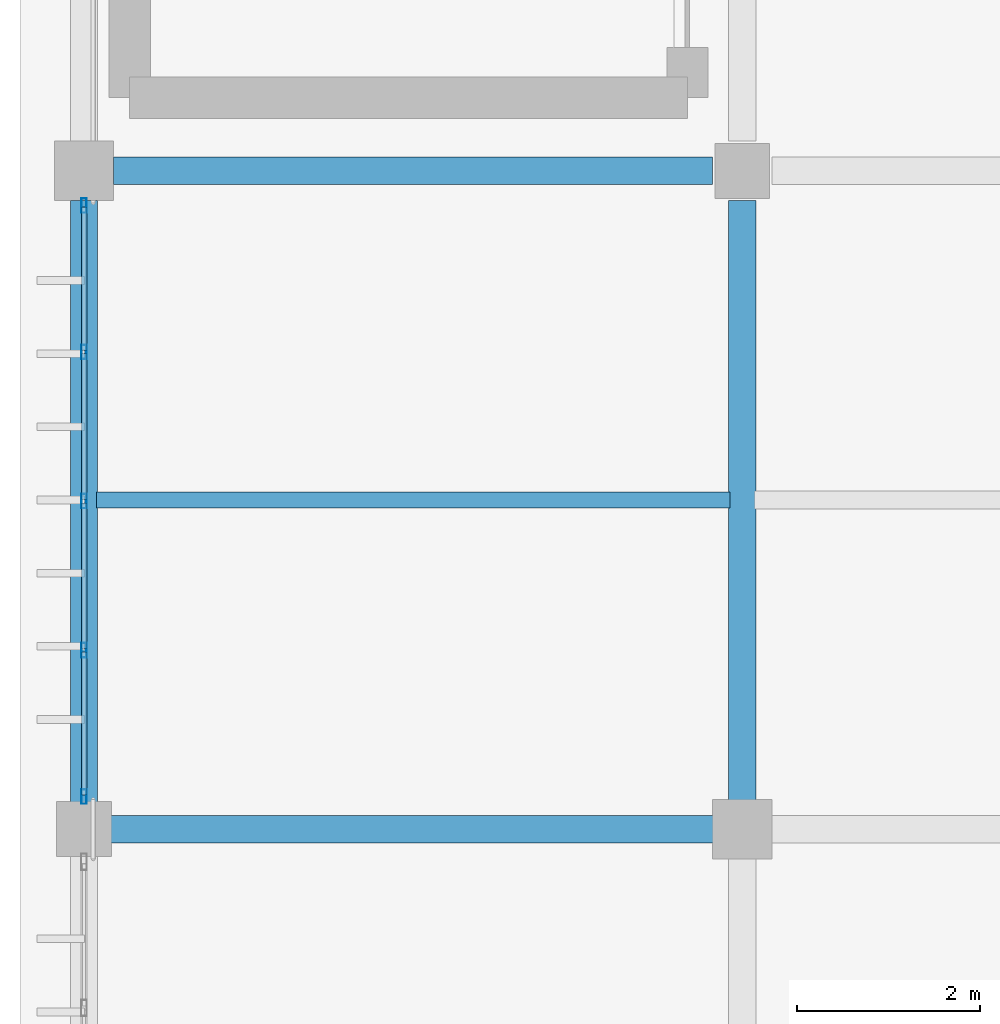
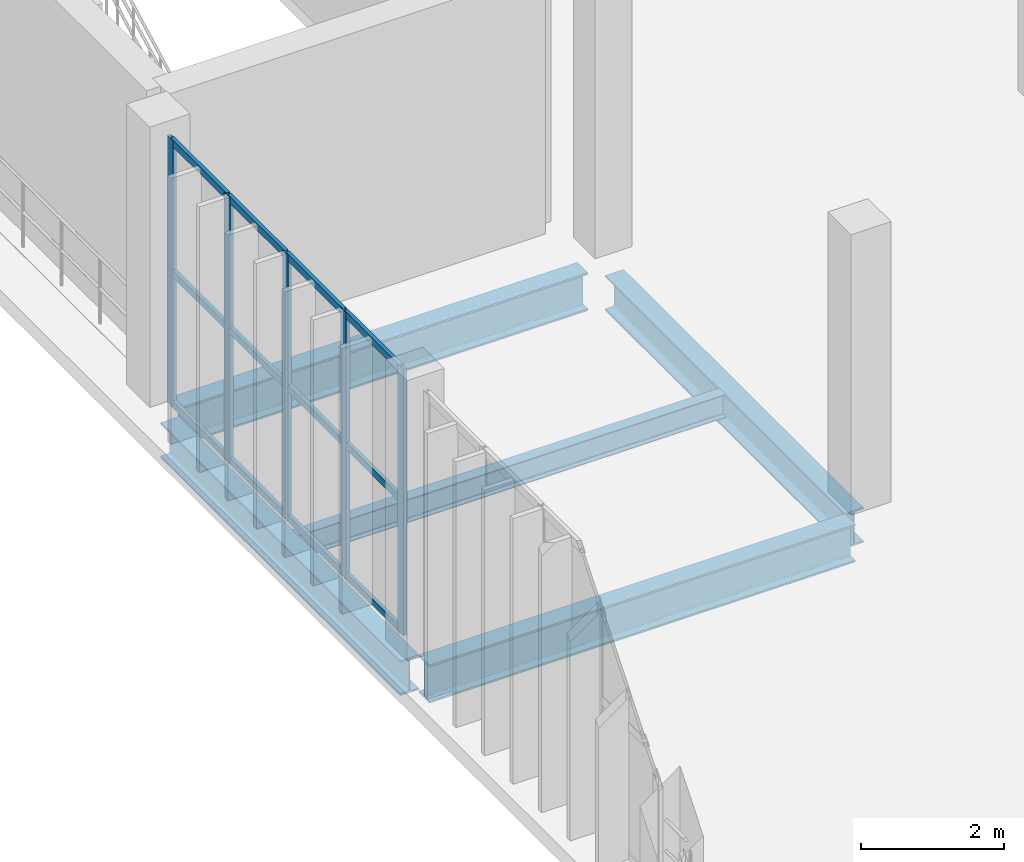
# One storey, part 37 of 105: 17 members, 5 beams, 1 element without a shape of its own.
"""IFC4 building model written with IfcOpenShell, lengths in metres."""

import ifcopenshell
import ifcopenshell.guid

model = None  # the IFC model being written
_history = None  # IfcOwnerHistory: only IFC2X3 demands one
_inside = {}  # id of a spatial element -> (the spatial element, [elements in it])
_under = {}  # id of a project, library or spatial element -> (it, [spatial elements below it])
_declared = {}  # id of a project -> (the project, [libraries it declares])
_typed = {}  # id of a type object -> (the type object, [elements of that type])
_made_of = {}  # id of a material, layer set ... -> (it, [elements and type objects made of it])


def new_model(schema):
    """Start an empty IFC model of exactly this schema.

    Asked for "IFC4X3", IfcOpenShell would pick the latest addendum, in which some entities
    have other attributes; the version numbers below select the first issue.
    IFC2X3 requires an IfcOwnerHistory on every rooted entity: one is made here for all.
    """
    global model, _history
    if schema == "IFC4X3":
        model = ifcopenshell.file(schema_version=(4, 3, 0, 0))
    else:
        model = ifcopenshell.file(schema=schema)
    _inside.clear()
    _under.clear()
    _declared.clear()
    _typed.clear()
    _made_of.clear()
    _history = None
    if model.schema == "IFC2X3":
        org = make("IfcOrganization", Name="unknown")
        user = make(
            "IfcPersonAndOrganization",
            ThePerson=make("IfcPerson", FamilyName="unknown"),
            TheOrganization=org,
        )
        app = make(
            "IfcApplication",
            ApplicationDeveloper=org,
            Version="unknown",
            ApplicationFullName="unknown",
            ApplicationIdentifier="unknown",
        )
        _history = make(
            "IfcOwnerHistory",
            OwningUser=user,
            OwningApplication=app,
            ChangeAction="ADDED",
            CreationDate=0,
        )
    return model


def make(cls, **values):
    """One entity of the class cls with the attributes given. An attribute that is None is left unset."""
    return model.create_entity(
        cls, **{name: value for name, value in values.items() if value is not None}
    )


def rooted(cls, **values):
    """An entity with a GlobalId (a new one), such as an element, a storey or a relation."""
    return make(cls, GlobalId=ifcopenshell.guid.new(), OwnerHistory=_history, **values)


def si_unit(unit_type, name, prefix=None):
    """IfcSIUnit, for example si_unit("LENGTHUNIT", "METRE", prefix="MILLI")."""
    return make("IfcSIUnit", UnitType=unit_type, Prefix=prefix, Name=name)


def assignment(units):
    """IfcUnitAssignment: the units of a project."""
    return None if units is None else make("IfcUnitAssignment", Units=units)


def point(xyz):
    """IfcCartesianPoint."""
    return None if xyz is None else make("IfcCartesianPoint", Coordinates=xyz)


def direction(xyz):
    """IfcDirection."""
    return None if xyz is None else make("IfcDirection", DirectionRatios=xyz)


def frame(location, z_axis=None, x_axis=None):
    """IfcAxis2Placement3D, a coordinate frame: its origin and axes. An axis left out is left unset."""
    return make(
        "IfcAxis2Placement3D",
        Location=point(location),
        Axis=direction(z_axis),
        RefDirection=direction(x_axis),
    )


def frame_2d(location, x_axis=None):
    """IfcAxis2Placement2D, a coordinate frame in the plane: its origin and x axis."""
    return make(
        "IfcAxis2Placement2D", Location=point(location), RefDirection=direction(x_axis)
    )


def origin():
    """The frame at (0, 0, 0) with its axes left unset."""
    return frame((0.0, 0.0, 0.0))


def origin_2d():
    """The frame at (0, 0) in the plane with its x axis left unset."""
    return frame_2d((0.0, 0.0))


def place(relative_to, where):
    """IfcLocalPlacement: puts the frame where relative to a parent placement (None: the world)."""
    return make(
        "IfcLocalPlacement", PlacementRelTo=relative_to, RelativePlacement=where
    )


def context(
    kind, dimensions, precision=None, world=None, true_north=None, identifier=None
):
    """IfcGeometricRepresentationContext, for example the 3D "Model" context."""
    return make(
        "IfcGeometricRepresentationContext",
        ContextIdentifier=identifier,
        ContextType=kind,
        CoordinateSpaceDimension=dimensions,
        Precision=precision,
        WorldCoordinateSystem=world,
        TrueNorth=true_north,
    )


def subcontext(parent, identifier, kind, view, scale=None):
    """IfcGeometricRepresentationSubContext, for example "Body" below "Model"."""
    return make(
        "IfcGeometricRepresentationSubContext",
        ContextIdentifier=identifier,
        ContextType=kind,
        ParentContext=parent,
        TargetScale=scale,
        TargetView=view,
    )


def project(units=None, contexts=None):
    """IfcProject with its units and contexts."""
    return rooted(
        "IfcProject",
        Name="project",
        RepresentationContexts=contexts,
        UnitsInContext=assignment(units),
    )


def spatial(cls, under=None, at=None, **own):
    """A site, building, storey or space (cls), placed at a placement, below another one or the project."""
    s = rooted(cls, ObjectPlacement=at, **own)
    if under is not None:
        _under.setdefault(under.id(), (under, []))[1].append(s)
    return s


def profile(cls, at=None, kind="AREA", **sizes):
    """A parametric profile (cls). Its sizes go by their IFC names, for example OverallWidth=200.0."""
    return make(cls, ProfileType=kind, Position=at, **sizes)


def hollow_rectangle(**sizes):
    """IfcRectangleHollowProfileDef."""
    return profile("IfcRectangleHollowProfileDef", **sizes)


def i_section(**sizes):
    """IfcIShapeProfileDef."""
    return profile("IfcIShapeProfileDef", **sizes)


def extrude(swept, where, along, depth):
    """IfcExtrudedAreaSolid: the profile swept, set in the frame where, extruded along a direction by depth."""
    return make(
        "IfcExtrudedAreaSolid",
        SweptArea=swept,
        Position=where,
        ExtrudedDirection=direction(along),
        Depth=depth,
    )


def shape(context_of_items, identifier, shape_type, items):
    """IfcShapeRepresentation: the items that make up one representation, for example the "Body"."""
    return make(
        "IfcShapeRepresentation",
        ContextOfItems=context_of_items,
        RepresentationIdentifier=identifier,
        RepresentationType=shape_type,
        Items=items,
    )


def material(Name=None, Category=None):
    """IfcMaterial."""
    return make("IfcMaterial", Name=Name, Category=Category)


def material_profile(
    of_material, cross_section, Name=None, Category=None, Priority=None
):
    """IfcMaterialProfile: a cross section and its material."""
    return make(
        "IfcMaterialProfile",
        Name=Name,
        Material=of_material,
        Profile=cross_section,
        Priority=Priority,
        Category=Category,
    )


def profile_set(profiles, Name=None, composite=None):
    """IfcMaterialProfileSet."""
    return make(
        "IfcMaterialProfileSet",
        Name=Name,
        MaterialProfiles=profiles,
        CompositeProfile=composite,
    )


def made_of(thing, what):
    """Note that an element or type object is made of a material, layer set ...; save() writes the relation."""
    if what is not None:
        _made_of.setdefault(what.id(), (what, []))[1].append(thing)
    return thing


def type_object(cls, material=None, **own):
    """A type object (cls), such as IfcWallType, which elements share."""
    return made_of(rooted(cls, **own), material)


def element(
    cls,
    number,
    at=None,
    inside=None,
    cuts=None,
    type_object=None,
    material=None,
    context=None,
    identifier="Body",
    shape_type=None,
    held_by="IfcProductDefinitionShape",
    body=None,
    shapes=None,
    **own,
):
    """One element of the class cls, such as IfcWall. Its Tag is "e" and its number.

    at: its placement. inside: the storey or other place that contains it. cuts: it is an
    opening in that element (IfcRelVoidsElement). A single representation is given by context,
    identifier, shape_type and body (its items); several are given by shapes. held_by: the class
    of the entity that holds the representations. save() writes the other relations.
    """
    e = rooted(cls, Tag="e%d" % number, ObjectPlacement=at, **own)
    if body is not None:
        shapes = [shape(context, identifier, shape_type, body)]
    if shapes is not None:
        e.Representation = make(held_by, Representations=shapes)
    if inside is not None:
        _inside.setdefault(inside.id(), (inside, []))[1].append(e)
    if cuts is not None:
        rooted(
            "IfcRelVoidsElement", RelatingBuildingElement=cuts, RelatedOpeningElement=e
        )
    if type_object is not None:
        _typed.setdefault(type_object.id(), (type_object, []))[1].append(e)
    return made_of(e, material)


def aggregate(whole, parts):
    """IfcRelAggregates: a whole, such as a stair, and the parts it consists of."""
    return rooted("IfcRelAggregates", RelatingObject=whole, RelatedObjects=parts)


def save(model, path):
    """Write the relations noted so far, then the file.

    IfcRelAggregates (storeys below a building ...), IfcRelContainedInSpatialStructure (elements
    in a storey), IfcRelDefinesByType, IfcRelAssociatesMaterial and IfcRelDeclares: one each for
    every whole, place, type object, material and project.
    """
    for whole, parts in _under.values():
        aggregate(whole, parts)
    for where, things in _inside.values():
        rooted(
            "IfcRelContainedInSpatialStructure",
            RelatedElements=things,
            RelatingStructure=where,
        )
    for kind, things in _typed.values():
        rooted("IfcRelDefinesByType", RelatedObjects=things, RelatingType=kind)
    for what, things in _made_of.values():
        rooted("IfcRelAssociatesMaterial", RelatedObjects=things, RelatingMaterial=what)
    for by, libraries in _declared.values():
        rooted("IfcRelDeclares", RelatingContext=by, RelatedDefinitions=libraries)
    model.write(path)


model = new_model("IFC4")

# Units and contexts
model_context = context("Model", 3, precision=1e-05, world=origin(), true_north=direction((0.0, 1.0)))
body_context = subcontext(model_context, "Body", "Model", "MODEL_VIEW")
ifc_project = project(units=[si_unit("LENGTHUNIT", "METRE"), si_unit("AREAUNIT", "SQUARE_METRE"), si_unit("VOLUMEUNIT", "CUBIC_METRE"), si_unit("PLANEANGLEUNIT", "RADIAN"), si_unit("MASSUNIT", "GRAM", prefix="KILO")], contexts=[model_context])

# Site, building, storey
site_placement = place(None, origin())
site = spatial("IfcSite", under=ifc_project, at=site_placement, CompositionType="ELEMENT")
building_placement = place(site_placement, origin())
building = spatial("IfcBuilding", under=site, at=building_placement, Name="Qandorah Velis Arena", CompositionType="ELEMENT")
storey_placement = place(building_placement, frame((0.0, 0.0, 13.800048828125)))
storey = spatial("IfcBuildingStorey", under=building, at=storey_placement, Name="L03", CompositionType="ELEMENT", Elevation=13.800048828125)

# Curtain wall, members
ifc_material_1 = material(Name="Solar-control low-E double glazing", Category="glass")
curtain_wall_type = type_object("IfcCurtainWallType", Name="ARC-CW-SYS03", PredefinedType="USERDEFINED", material=ifc_material_1)
curtain_wall_placement = place(storey_placement, origin())
curtain_wall = element("IfcCurtainWall", 1, at=curtain_wall_placement, inside=storey, type_object=curtain_wall_type, Name="Unitised curtain wall L03-027", ObjectType="UNITISED CURTAIN WALL", PredefinedType="USERDEFINED")
ifc_material_2 = material(Name="Champagne-bronze anodized aluminium 6063-T6", Category="aluminium")
ifc_material_profile_1 = material_profile(ifc_material_2, hollow_rectangle(XDim=0.06005859375, YDim=0.159912109375, WallThickness=0.00341796875, at=origin_2d()), Name="ALU MULLION 60x160")
ifc_profile_set_1 = profile_set([ifc_material_profile_1], Name="Champagne-bronze anodized aluminium 6063-T6")
member_type_1 = type_object("IfcMemberType", Name="ARC-CWM-160", PredefinedType="MULLION", material=ifc_profile_set_1)
member_1_placement = place(storey_placement, frame((0.0, 72.35498046875, -0.01513671875), z_axis=(0.0, 0.0, 1.0), x_axis=(-1.0, 0.0, 0.0)))
member_1 = element("IfcMember", 2, at=member_1_placement, type_object=member_type_1, Name="CW03 mullion 1", PredefinedType="MULLION", context=body_context, shape_type="SweptSolid", body=[
    extrude(hollow_rectangle(XDim=0.06005859375, YDim=0.159912109375, WallThickness=0.00341796875, at=origin_2d()), origin(), (0.0, 0.0, 1.0), 4.56005859375),
])
member_2_placement = place(storey_placement, frame((0.0, 73.956298828125, -0.01513671875), z_axis=(0.0, 0.0, 1.0), x_axis=(-1.0, 0.0, 0.0)))
member_2 = element("IfcMember", 3, at=member_2_placement, type_object=member_type_1, Name="CW03 mullion 2", PredefinedType="MULLION", context=body_context, shape_type="SweptSolid", body=[
    extrude(hollow_rectangle(XDim=0.06005859375, YDim=0.159912109375, WallThickness=0.00341796875, at=origin_2d()), origin(), (0.0, 0.0, 1.0), 4.56005859375),
])
member_3_placement = place(storey_placement, frame((0.0, 75.58740234375, -0.01513671875), z_axis=(0.0, 0.0, 1.0), x_axis=(-1.0, 0.0, 0.0)))
member_3 = element("IfcMember", 4, at=member_3_placement, type_object=member_type_1, Name="CW03 mullion 3", PredefinedType="MULLION", context=body_context, shape_type="SweptSolid", body=[
    extrude(hollow_rectangle(XDim=0.06005859375, YDim=0.159912109375, WallThickness=0.00341796875, at=origin_2d()), origin(), (0.0, 0.0, 1.0), 4.56005859375),
])
member_4_placement = place(storey_placement, frame((0.0, 77.21875, -0.01513671875), z_axis=(0.0, 0.0, 1.0), x_axis=(-1.0, 0.0, 0.0)))
member_4 = element("IfcMember", 5, at=member_4_placement, type_object=member_type_1, Name="CW03 mullion 4", PredefinedType="MULLION", context=body_context, shape_type="SweptSolid", body=[
    extrude(hollow_rectangle(XDim=0.06005859375, YDim=0.159912109375, WallThickness=0.00341796875, at=origin_2d()), origin(), (0.0, 0.0, 1.0), 4.56005859375),
])
member_5_placement = place(storey_placement, frame((0.0, 78.820068359375, -0.01513671875), z_axis=(0.0, 0.0, 1.0), x_axis=(-1.0, 0.0, 0.0)))
member_5 = element("IfcMember", 6, at=member_5_placement, type_object=member_type_1, Name="CW03 mullion 5", PredefinedType="MULLION", context=body_context, shape_type="SweptSolid", body=[
    extrude(hollow_rectangle(XDim=0.06005859375, YDim=0.159912109375, WallThickness=0.00341796875, at=origin_2d()), origin(), (0.0, 0.0, 1.0), 4.56005859375),
])
ifc_material_profile_2 = material_profile(ifc_material_2, hollow_rectangle(XDim=0.06005859375, YDim=0.1201171875, WallThickness=0.0029296875, at=origin_2d()), Name="ALU TRANSOM 60x120")
ifc_profile_set_2 = profile_set([ifc_material_profile_2], Name="Champagne-bronze anodized aluminium 6063-T6")
member_type_2 = type_object("IfcMemberType", Name="ARC-CWT-120", PredefinedType="USERDEFINED", material=ifc_profile_set_2)
member_6_placement = place(storey_placement, frame((0.0, 72.373046875, 0.030029296875), z_axis=(0.0, 1.0, 0.0), x_axis=(-1.0, 0.0, 0.0)))
member_6 = element("IfcMember", 7, at=member_6_placement, type_object=member_type_2, Name="CW03 transom 1.1", ObjectType="TRANSOM", PredefinedType="USERDEFINED", context=body_context, shape_type="SweptSolid", body=[
    extrude(hollow_rectangle(XDim=0.06005859375, YDim=0.1201171875, WallThickness=0.0029296875, at=origin_2d()), origin(), (0.0, 0.0, 1.0), 1.565185546875),
])
member_7_placement = place(storey_placement, frame((0.0, 72.373046875, 2.264892578125), z_axis=(0.0, 1.0, 0.0), x_axis=(-1.0, 0.0, 0.0)))
member_7 = element("IfcMember", 8, at=member_7_placement, type_object=member_type_2, Name="CW03 transom 1.2", ObjectType="TRANSOM", PredefinedType="USERDEFINED", context=body_context, shape_type="SweptSolid", body=[
    extrude(hollow_rectangle(XDim=0.06005859375, YDim=0.1201171875, WallThickness=0.0029296875, at=origin_2d()), origin(), (0.0, 0.0, 1.0), 1.565185546875),
])
member_8_placement = place(storey_placement, frame((0.0, 72.373046875, 4.5), z_axis=(0.0, 1.0, 0.0), x_axis=(-1.0, 0.0, 0.0)))
member_8 = element("IfcMember", 9, at=member_8_placement, type_object=member_type_2, Name="CW03 transom 1.3", ObjectType="TRANSOM", PredefinedType="USERDEFINED", context=body_context, shape_type="SweptSolid", body=[
    extrude(hollow_rectangle(XDim=0.06005859375, YDim=0.1201171875, WallThickness=0.0029296875, at=origin_2d()), origin(), (0.0, 0.0, 1.0), 1.565185546875),
])
member_9_placement = place(storey_placement, frame((0.0, 73.97412109375, 0.030029296875), z_axis=(0.0, 1.0, 0.0), x_axis=(-1.0, 0.0, 0.0)))
member_9 = element("IfcMember", 10, at=member_9_placement, type_object=member_type_2, Name="CW03 transom 2.1", ObjectType="TRANSOM", PredefinedType="USERDEFINED", context=body_context, shape_type="SweptSolid", body=[
    extrude(hollow_rectangle(XDim=0.06005859375, YDim=0.1201171875, WallThickness=0.0029296875, at=origin_2d()), origin(), (0.0, 0.0, 1.0), 1.595458984375),
])
member_10_placement = place(storey_placement, frame((0.0, 73.97412109375, 2.264892578125), z_axis=(0.0, 1.0, 0.0), x_axis=(-1.0, 0.0, 0.0)))
member_10 = element("IfcMember", 11, at=member_10_placement, type_object=member_type_2, Name="CW03 transom 2.2", ObjectType="TRANSOM", PredefinedType="USERDEFINED", context=body_context, shape_type="SweptSolid", body=[
    extrude(hollow_rectangle(XDim=0.06005859375, YDim=0.1201171875, WallThickness=0.0029296875, at=origin_2d()), origin(), (0.0, 0.0, 1.0), 1.595458984375),
])
member_11_placement = place(storey_placement, frame((0.0, 73.97412109375, 4.5), z_axis=(0.0, 1.0, 0.0), x_axis=(-1.0, 0.0, 0.0)))
member_11 = element("IfcMember", 12, at=member_11_placement, type_object=member_type_2, Name="CW03 transom 2.3", ObjectType="TRANSOM", PredefinedType="USERDEFINED", context=body_context, shape_type="SweptSolid", body=[
    extrude(hollow_rectangle(XDim=0.06005859375, YDim=0.1201171875, WallThickness=0.0029296875, at=origin_2d()), origin(), (0.0, 0.0, 1.0), 1.595458984375),
])
member_12_placement = place(storey_placement, frame((0.0, 75.60546875, 0.030029296875), z_axis=(0.0, 1.0, 0.0), x_axis=(-1.0, 0.0, 0.0)))
member_12 = element("IfcMember", 13, at=member_12_placement, type_object=member_type_2, Name="CW03 transom 3.1", ObjectType="TRANSOM", PredefinedType="USERDEFINED", context=body_context, shape_type="SweptSolid", body=[
    extrude(hollow_rectangle(XDim=0.06005859375, YDim=0.1201171875, WallThickness=0.0029296875, at=origin_2d()), origin(), (0.0, 0.0, 1.0), 1.59521484375),
])
member_13_placement = place(storey_placement, frame((0.0, 75.60546875, 2.264892578125), z_axis=(0.0, 1.0, 0.0), x_axis=(-1.0, 0.0, 0.0)))
member_13 = element("IfcMember", 14, at=member_13_placement, type_object=member_type_2, Name="CW03 transom 3.2", ObjectType="TRANSOM", PredefinedType="USERDEFINED", context=body_context, shape_type="SweptSolid", body=[
    extrude(hollow_rectangle(XDim=0.06005859375, YDim=0.1201171875, WallThickness=0.0029296875, at=origin_2d()), origin(), (0.0, 0.0, 1.0), 1.59521484375),
])
member_14_placement = place(storey_placement, frame((0.0, 75.60546875, 4.5), z_axis=(0.0, 1.0, 0.0), x_axis=(-1.0, 0.0, 0.0)))
member_14 = element("IfcMember", 15, at=member_14_placement, type_object=member_type_2, Name="CW03 transom 3.3", ObjectType="TRANSOM", PredefinedType="USERDEFINED", context=body_context, shape_type="SweptSolid", body=[
    extrude(hollow_rectangle(XDim=0.06005859375, YDim=0.1201171875, WallThickness=0.0029296875, at=origin_2d()), origin(), (0.0, 0.0, 1.0), 1.59521484375),
])
member_15_placement = place(storey_placement, frame((0.0, 77.23681640625, 0.030029296875), z_axis=(0.0, 1.0, 0.0), x_axis=(-1.0, 0.0, 0.0)))
member_15 = element("IfcMember", 16, at=member_15_placement, type_object=member_type_2, Name="CW03 transom 4.1", ObjectType="TRANSOM", PredefinedType="USERDEFINED", context=body_context, shape_type="SweptSolid", body=[
    extrude(hollow_rectangle(XDim=0.06005859375, YDim=0.1201171875, WallThickness=0.0029296875, at=origin_2d()), origin(), (0.0, 0.0, 1.0), 1.565185546875),
])
member_16_placement = place(storey_placement, frame((0.0, 77.23681640625, 2.264892578125), z_axis=(0.0, 1.0, 0.0), x_axis=(-1.0, 0.0, 0.0)))
member_16 = element("IfcMember", 17, at=member_16_placement, type_object=member_type_2, Name="CW03 transom 4.2", ObjectType="TRANSOM", PredefinedType="USERDEFINED", context=body_context, shape_type="SweptSolid", body=[
    extrude(hollow_rectangle(XDim=0.06005859375, YDim=0.1201171875, WallThickness=0.0029296875, at=origin_2d()), origin(), (0.0, 0.0, 1.0), 1.565185546875),
])
member_17_placement = place(storey_placement, frame((0.0, 77.23681640625, 4.5), z_axis=(0.0, 1.0, 0.0), x_axis=(-1.0, 0.0, 0.0)))
member_17 = element("IfcMember", 18, at=member_17_placement, type_object=member_type_2, Name="CW03 transom 4.3", ObjectType="TRANSOM", PredefinedType="USERDEFINED", context=body_context, shape_type="SweptSolid", body=[
    extrude(hollow_rectangle(XDim=0.06005859375, YDim=0.1201171875, WallThickness=0.0029296875, at=origin_2d()), origin(), (0.0, 0.0, 1.0), 1.565185546875),
])
aggregate(curtain_wall, [member_1, member_2, member_3, member_4, member_5, member_6, member_7, member_8, member_9, member_10, member_11, member_12, member_13, member_14, member_15, member_16, member_17])

# Beams
ifc_material_3 = material(Name="Steel S355", Category="steel")
ifc_material_profile_3 = material_profile(ifc_material_3, i_section(OverallWidth=0.300048828125, OverallDepth=0.60009765625, WebThickness=0.015380859375, FlangeThickness=0.030029296875, FilletRadius=0.027099609375, at=origin_2d()), Name="HEB 600")
ifc_profile_set_3 = profile_set([ifc_material_profile_3], Name="Steel S355")
beam_type_1 = type_object("IfcBeamType", Name="STR-BM-HEB600", PredefinedType="BEAM", material=ifc_profile_set_3)
for number, where, z_axis, x_axis, name in (
    (19, (0.0, 72.14990234375, -0.6201171875), (0.0, 1.0, 0.0), (-1.0, 0.0, 0.0), "Primary floor girder L03 Y-186"),
    (20, (7.199951171875, 72.14990234375, -0.6201171875), (0.0, 1.0, 0.0), (-1.0, 0.0, 0.0), "Primary floor girder L03 Y-200"),
):
    element("IfcBeam", number, at=place(storey_placement, frame(where, z_axis=z_axis, x_axis=x_axis)), inside=storey, type_object=beam_type_1, Name=name, PredefinedType="BEAM", context=body_context, shape_type="SweptSolid", body=[
        extrude(i_section(OverallWidth=0.300048828125, OverallDepth=0.60009765625, WebThickness=0.015380859375, FlangeThickness=0.030029296875, FilletRadius=0.027099609375, at=origin_2d()), origin(), (0.0, 0.0, 1.0), 6.72509765625),
    ])
ifc_material_profile_4 = material_profile(ifc_material_3, i_section(OverallWidth=0.300048828125, OverallDepth=0.64990234375, WebThickness=0.01611328125, FlangeThickness=0.031005859375, FilletRadius=0.027099609375, at=origin_2d()), Name="HEB 650")
ifc_profile_set_4 = profile_set([ifc_material_profile_4], Name="Steel S355")
beam_type_2 = type_object("IfcBeamType", Name="STR-BM-HEB650", PredefinedType="BEAM", material=ifc_profile_set_4)
beam_1_placement = place(storey_placement, frame((0.14990234375, 72.0, -0.64501953125), z_axis=(1.0, 0.0, 0.0), x_axis=(0.0, 1.0, 0.0)))
element("IfcBeam", 21, at=beam_1_placement, inside=storey, type_object=beam_type_2, Name="Primary floor girder L03 X-095", PredefinedType="BEAM", context=body_context, shape_type="SweptSolid", body=[
    extrude(i_section(OverallWidth=0.300048828125, OverallDepth=0.64990234375, WebThickness=0.01611328125, FlangeThickness=0.031005859375, FilletRadius=0.027099609375, at=origin_2d()), origin(), (0.0, 0.0, 1.0), 6.900146484375),
])
beam_2_placement = place(storey_placement, frame((0.324951171875, 79.199951171875, -0.64501953125), z_axis=(1.0, 0.0, 0.0), x_axis=(0.0, 1.0, 0.0)))
element("IfcBeam", 22, at=beam_2_placement, inside=storey, type_object=beam_type_2, Name="Primary floor girder L03 X-100", PredefinedType="BEAM", context=body_context, shape_type="SweptSolid", body=[
    extrude(i_section(OverallWidth=0.300048828125, OverallDepth=0.64990234375, WebThickness=0.01611328125, FlangeThickness=0.031005859375, FilletRadius=0.027099609375, at=origin_2d()), origin(), (0.0, 0.0, 1.0), 6.550048828125),
])
ifc_material_profile_5 = material_profile(ifc_material_3, i_section(OverallWidth=0.179931640625, OverallDepth=0.39990234375, WebThickness=0.008544921875, FlangeThickness=0.013427734375, FilletRadius=0.02099609375, at=origin_2d()), Name="IPE 400")
ifc_profile_set_5 = profile_set([ifc_material_profile_5], Name="Steel S355")
beam_type_3 = type_object("IfcBeamType", Name="STR-JST-IPE400", PredefinedType="JOIST", material=ifc_profile_set_5)
beam_3_placement = place(storey_placement, frame((0.135009765625, 75.60009765625, -0.52001953125), z_axis=(1.0, 0.0, 0.0), x_axis=(0.0, 1.0, 0.0)))
element("IfcBeam", 23, at=beam_3_placement, inside=storey, type_object=beam_type_3, Name="Secondary floor joist L03-007", PredefinedType="JOIST", context=body_context, shape_type="SweptSolid", body=[
    extrude(i_section(OverallWidth=0.179931640625, OverallDepth=0.39990234375, WebThickness=0.008544921875, FlangeThickness=0.013427734375, FilletRadius=0.02099609375, at=origin_2d()), origin(), (0.0, 0.0, 1.0), 6.929931640625),
])

save(model, "model.ifc")
